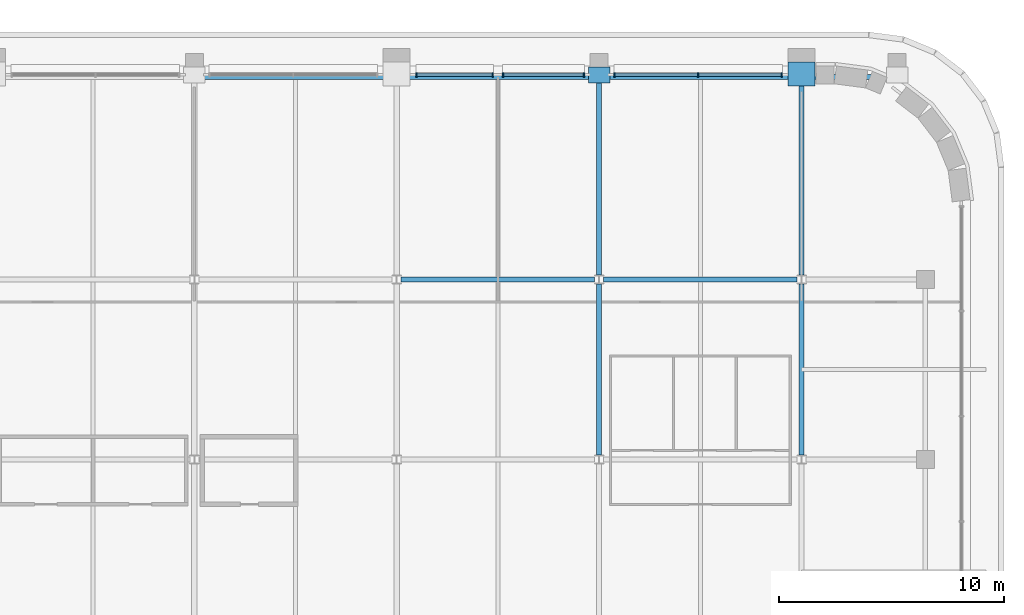
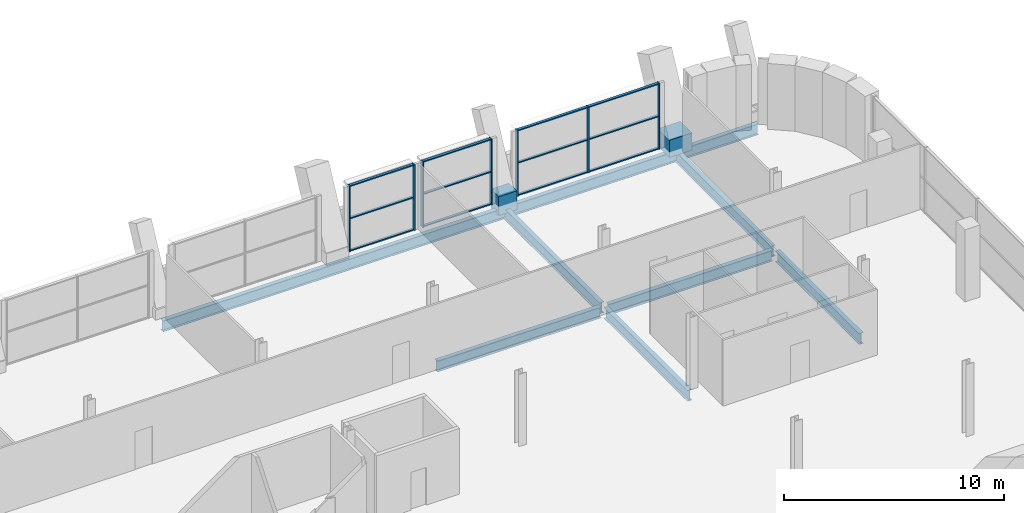
# One storey, part 11 of 25: 19 members, 10 beams, 3 elements without a shape of their own.
"""IFC4 building model written with IfcOpenShell, lengths in metres."""

from ifc_helpers import new_model, si_unit, direction, frame, origin, origin_2d, place, context, subcontext, project, spatial, rectangle, i_section, extrude, material, material_profile, profile_set, type_object, element, aggregate, save


model = new_model("IFC4")

# Units and contexts
model_context = context("Model", 3, precision=1e-05, world=origin(), true_north=direction((0.0, 1.0)))
body_context = subcontext(model_context, "Body", "Model", "MODEL_VIEW")
ifc_project = project(units=[si_unit("LENGTHUNIT", "METRE"), si_unit("AREAUNIT", "SQUARE_METRE"), si_unit("VOLUMEUNIT", "CUBIC_METRE"), si_unit("PLANEANGLEUNIT", "RADIAN"), si_unit("MASSUNIT", "GRAM", prefix="KILO")], contexts=[model_context])

# Site, building, storey
site_placement = place(None, origin())
site = spatial("IfcSite", under=ifc_project, at=site_placement, CompositionType="ELEMENT")
building_placement = place(site_placement, origin())
building = spatial("IfcBuilding", under=site, at=building_placement, Name="Zellij Exchange Tower", CompositionType="ELEMENT")
storey_placement = place(building_placement, frame((0.0, 0.0, 264.5)))
storey = spatial("IfcBuildingStorey", under=building, at=storey_placement, Name="L62", CompositionType="ELEMENT", Elevation=264.5)

# Curtain wall, members
ifc_material_1 = material(Name="Aluminium frame, clear insulating glass", Category="aluminium")
curtain_wall_type = type_object("IfcCurtainWallType", Name="ENV-CW6 Sky-lobby glazing", PredefinedType="NOTDEFINED", material=ifc_material_1)
curtain_wall_1_placement = place(storey_placement, origin())
curtain_wall_1 = element("IfcCurtainWall", 1, at=curtain_wall_1_placement, inside=storey, type_object=curtain_wall_type, Name="cw.L62.14b", PredefinedType="NOTDEFINED")
ifc_material_2 = material(Name="Aluminium", Category="aluminium")
ifc_material_profile_1 = material_profile(ifc_material_2, rectangle(XDim=0.06005859375, YDim=0.199951171875, at=origin_2d()), Name="AL 60x200")
ifc_profile_set_1 = profile_set([ifc_material_profile_1], Name="Aluminium")
member_type_1 = type_object("IfcMemberType", Name="ENV-CW6M Mullion 60x200", PredefinedType="MULLION", material=ifc_profile_set_1)
member_1_placement = place(storey_placement, frame((26.1201171875, 31.10009765625, 0.0), z_axis=(0.0, 0.0, 1.0), x_axis=(-1.0, 0.0, 0.0)))
member_1 = element("IfcMember", 2, at=member_1_placement, type_object=member_type_1, Name="CW6 mullion 1", PredefinedType="MULLION", context=body_context, shape_type="SweptSolid", body=[
    extrude(rectangle(XDim=0.06005859375, YDim=0.199951171875, at=origin_2d()), origin(), (0.0, 0.0, 1.0), 3.64990234375),
])
member_2_placement = place(storey_placement, frame((22.39990234375, 31.10009765625, 0.0), z_axis=(0.0, 0.0, 1.0), x_axis=(-1.0, 0.0, 0.0)))
member_2 = element("IfcMember", 3, at=member_2_placement, type_object=member_type_1, Name="CW6 mullion 2", PredefinedType="MULLION", context=body_context, shape_type="SweptSolid", body=[
    extrude(rectangle(XDim=0.06005859375, YDim=0.199951171875, at=origin_2d()), origin(), (0.0, 0.0, 1.0), 3.64990234375),
])
member_3_placement = place(storey_placement, frame((18.679931640625, 31.10009765625, 0.0), z_axis=(0.0, 0.0, 1.0), x_axis=(-1.0, 0.0, 0.0)))
member_3 = element("IfcMember", 4, at=member_3_placement, type_object=member_type_1, Name="CW6 mullion 3", PredefinedType="MULLION", context=body_context, shape_type="SweptSolid", body=[
    extrude(rectangle(XDim=0.06005859375, YDim=0.199951171875, at=origin_2d()), origin(), (0.0, 0.0, 1.0), 3.64990234375),
])

curtain_wall_2_placement = place(storey_placement, origin())
curtain_wall_2 = element("IfcCurtainWall", 5, at=curtain_wall_2_placement, inside=storey, type_object=curtain_wall_type, Name="cw.L62.14c", PredefinedType="NOTDEFINED")
member_4_placement = place(storey_placement, frame((17.320068359375, 31.10009765625, 0.0), z_axis=(0.0, 0.0, 1.0), x_axis=(-1.0, 0.0, 0.0)))
member_4 = element("IfcMember", 6, at=member_4_placement, type_object=member_type_1, Name="CW6 mullion 1", PredefinedType="MULLION", context=body_context, shape_type="SweptSolid", body=[
    extrude(rectangle(XDim=0.06005859375, YDim=0.199951171875, at=origin_2d()), origin(), (0.0, 0.0, 1.0), 3.64990234375),
])
member_5_placement = place(storey_placement, frame((13.72998046875, 31.10009765625, 0.0), z_axis=(0.0, 0.0, 1.0), x_axis=(-1.0, 0.0, 0.0)))
member_5 = element("IfcMember", 7, at=member_5_placement, type_object=member_type_1, Name="CW6 mullion 2", PredefinedType="MULLION", context=body_context, shape_type="SweptSolid", body=[
    extrude(rectangle(XDim=0.06005859375, YDim=0.199951171875, at=origin_2d()), origin(), (0.0, 0.0, 1.0), 3.64990234375),
])

curtain_wall_3_placement = place(storey_placement, origin())
curtain_wall_3 = element("IfcCurtainWall", 8, at=curtain_wall_3_placement, inside=storey, type_object=curtain_wall_type, Name="cw.L62.14d", PredefinedType="NOTDEFINED")
member_6_placement = place(storey_placement, frame((13.27001953125, 31.10009765625, 0.0), z_axis=(0.0, 0.0, 1.0), x_axis=(-1.0, 0.0, 0.0)))
member_6 = element("IfcMember", 9, at=member_6_placement, type_object=member_type_1, Name="CW6 mullion 1", PredefinedType="MULLION", context=body_context, shape_type="SweptSolid", body=[
    extrude(rectangle(XDim=0.06005859375, YDim=0.199951171875, at=origin_2d()), origin(), (0.0, 0.0, 1.0), 3.64990234375),
])
member_7_placement = place(storey_placement, frame((9.8798828125, 31.10009765625, 0.0), z_axis=(0.0, 0.0, 1.0), x_axis=(-1.0, 0.0, 0.0)))
member_7 = element("IfcMember", 10, at=member_7_placement, type_object=member_type_1, Name="CW6 mullion 2", PredefinedType="MULLION", context=body_context, shape_type="SweptSolid", body=[
    extrude(rectangle(XDim=0.06005859375, YDim=0.199951171875, at=origin_2d()), origin(), (0.0, 0.0, 1.0), 3.64990234375),
])

# Member
ifc_material_profile_2 = material_profile(ifc_material_2, rectangle(XDim=0.139892578125, YDim=0.06005859375, at=origin_2d()), Name="AL 140x60")
ifc_profile_set_2 = profile_set([ifc_material_profile_2], Name="Aluminium")
member_type_2 = type_object("IfcMemberType", Name="ENV-CW6T Transom 140x60", PredefinedType="USERDEFINED", material=ifc_profile_set_2)
member_8_placement = place(storey_placement, frame((26.090087890625, 31.10009765625, 0.030029296875), z_axis=(-1.0, 0.0, 0.0), x_axis=(0.0, -1.0, 0.0)))
member_8 = element("IfcMember", 11, at=member_8_placement, type_object=member_type_2, Name="CW6 transom 1.1", ObjectType="TRANSOM", PredefinedType="USERDEFINED", context=body_context, shape_type="SweptSolid", body=[
    extrude(rectangle(XDim=0.139892578125, YDim=0.06005859375, at=origin_2d()), origin(), (0.0, 0.0, 1.0), 3.66015625),
])

member_9_placement = place(storey_placement, frame((26.090087890625, 31.10009765625, 1.824951171875), z_axis=(-1.0, 0.0, 0.0), x_axis=(0.0, -1.0, 0.0)))
member_9 = element("IfcMember", 12, at=member_9_placement, type_object=member_type_2, Name="CW6 transom 1.2", ObjectType="TRANSOM", PredefinedType="USERDEFINED", context=body_context, shape_type="SweptSolid", body=[
    extrude(rectangle(XDim=0.139892578125, YDim=0.06005859375, at=origin_2d()), origin(), (0.0, 0.0, 1.0), 3.66015625),
])

member_10_placement = place(storey_placement, frame((26.090087890625, 31.10009765625, 3.6201171875), z_axis=(-1.0, 0.0, 0.0), x_axis=(0.0, -1.0, 0.0)))
member_10 = element("IfcMember", 13, at=member_10_placement, type_object=member_type_2, Name="CW6 transom 1.3", ObjectType="TRANSOM", PredefinedType="USERDEFINED", context=body_context, shape_type="SweptSolid", body=[
    extrude(rectangle(XDim=0.139892578125, YDim=0.06005859375, at=origin_2d()), origin(), (0.0, 0.0, 1.0), 3.66015625),
])

member_11_placement = place(storey_placement, frame((22.3701171875, 31.10009765625, 0.030029296875), z_axis=(-1.0, 0.0, 0.0), x_axis=(0.0, -1.0, 0.0)))
member_11 = element("IfcMember", 14, at=member_11_placement, type_object=member_type_2, Name="CW6 transom 2.1", ObjectType="TRANSOM", PredefinedType="USERDEFINED", context=body_context, shape_type="SweptSolid", body=[
    extrude(rectangle(XDim=0.139892578125, YDim=0.06005859375, at=origin_2d()), origin(), (0.0, 0.0, 1.0), 3.66015625),
])

member_12_placement = place(storey_placement, frame((22.3701171875, 31.10009765625, 1.824951171875), z_axis=(-1.0, 0.0, 0.0), x_axis=(0.0, -1.0, 0.0)))
member_12 = element("IfcMember", 15, at=member_12_placement, type_object=member_type_2, Name="CW6 transom 2.2", ObjectType="TRANSOM", PredefinedType="USERDEFINED", context=body_context, shape_type="SweptSolid", body=[
    extrude(rectangle(XDim=0.139892578125, YDim=0.06005859375, at=origin_2d()), origin(), (0.0, 0.0, 1.0), 3.66015625),
])

member_13_placement = place(storey_placement, frame((22.3701171875, 31.10009765625, 3.6201171875), z_axis=(-1.0, 0.0, 0.0), x_axis=(0.0, -1.0, 0.0)))
member_13 = element("IfcMember", 16, at=member_13_placement, type_object=member_type_2, Name="CW6 transom 2.3", ObjectType="TRANSOM", PredefinedType="USERDEFINED", context=body_context, shape_type="SweptSolid", body=[
    extrude(rectangle(XDim=0.139892578125, YDim=0.06005859375, at=origin_2d()), origin(), (0.0, 0.0, 1.0), 3.66015625),
])

aggregate(curtain_wall_1, [member_1, member_2, member_3, member_8, member_9, member_10, member_11, member_12, member_13])

member_14_placement = place(storey_placement, frame((17.2900390625, 31.10009765625, 0.030029296875), z_axis=(-1.0, 0.0, 0.0), x_axis=(0.0, -1.0, 0.0)))
member_14 = element("IfcMember", 17, at=member_14_placement, type_object=member_type_2, Name="CW6 transom 1.1", ObjectType="TRANSOM", PredefinedType="USERDEFINED", context=body_context, shape_type="SweptSolid", body=[
    extrude(rectangle(XDim=0.139892578125, YDim=0.06005859375, at=origin_2d()), origin(), (0.0, 0.0, 1.0), 3.530029296875),
])

member_15_placement = place(storey_placement, frame((17.2900390625, 31.10009765625, 1.824951171875), z_axis=(-1.0, 0.0, 0.0), x_axis=(0.0, -1.0, 0.0)))
member_15 = element("IfcMember", 18, at=member_15_placement, type_object=member_type_2, Name="CW6 transom 1.2", ObjectType="TRANSOM", PredefinedType="USERDEFINED", context=body_context, shape_type="SweptSolid", body=[
    extrude(rectangle(XDim=0.139892578125, YDim=0.06005859375, at=origin_2d()), origin(), (0.0, 0.0, 1.0), 3.530029296875),
])

member_16_placement = place(storey_placement, frame((17.2900390625, 31.10009765625, 3.6201171875), z_axis=(-1.0, 0.0, 0.0), x_axis=(0.0, -1.0, 0.0)))
member_16 = element("IfcMember", 19, at=member_16_placement, type_object=member_type_2, Name="CW6 transom 1.3", ObjectType="TRANSOM", PredefinedType="USERDEFINED", context=body_context, shape_type="SweptSolid", body=[
    extrude(rectangle(XDim=0.139892578125, YDim=0.06005859375, at=origin_2d()), origin(), (0.0, 0.0, 1.0), 3.530029296875),
])

aggregate(curtain_wall_2, [member_4, member_5, member_14, member_15, member_16])

member_17_placement = place(storey_placement, frame((13.239990234375, 31.10009765625, 0.030029296875), z_axis=(-1.0, 0.0, 0.0), x_axis=(0.0, -1.0, 0.0)))
member_17 = element("IfcMember", 20, at=member_17_placement, type_object=member_type_2, Name="CW6 transom 1.1", ObjectType="TRANSOM", PredefinedType="USERDEFINED", context=body_context, shape_type="SweptSolid", body=[
    extrude(rectangle(XDim=0.139892578125, YDim=0.06005859375, at=origin_2d()), origin(), (0.0, 0.0, 1.0), 3.330078125),
])

member_18_placement = place(storey_placement, frame((13.239990234375, 31.10009765625, 1.824951171875), z_axis=(-1.0, 0.0, 0.0), x_axis=(0.0, -1.0, 0.0)))
member_18 = element("IfcMember", 21, at=member_18_placement, type_object=member_type_2, Name="CW6 transom 1.2", ObjectType="TRANSOM", PredefinedType="USERDEFINED", context=body_context, shape_type="SweptSolid", body=[
    extrude(rectangle(XDim=0.139892578125, YDim=0.06005859375, at=origin_2d()), origin(), (0.0, 0.0, 1.0), 3.330078125),
])

member_19_placement = place(storey_placement, frame((13.239990234375, 31.10009765625, 3.6201171875), z_axis=(-1.0, 0.0, 0.0), x_axis=(0.0, -1.0, 0.0)))
member_19 = element("IfcMember", 22, at=member_19_placement, type_object=member_type_2, Name="CW6 transom 1.3", ObjectType="TRANSOM", PredefinedType="USERDEFINED", context=body_context, shape_type="SweptSolid", body=[
    extrude(rectangle(XDim=0.139892578125, YDim=0.06005859375, at=origin_2d()), origin(), (0.0, 0.0, 1.0), 3.330078125),
])

aggregate(curtain_wall_3, [member_6, member_7, member_17, member_18, member_19])

# Beams
ifc_material_3 = material(Name="Structural steel ASTM A992 Gr 50", Category="steel")
ifc_material_profile_3 = material_profile(ifc_material_3, i_section(OverallWidth=0.228271484375, OverallDepth=0.607177734375, WebThickness=0.01123046875, FlangeThickness=0.017333984375, at=origin_2d()), Name="W24x76")
ifc_profile_set_3 = profile_set([ifc_material_profile_3], Name="Structural steel ASTM A992 Gr 50")
beam_type_1 = type_object("IfcBeamType", Name="STR-GIRDER W24x76", PredefinedType="BEAM", material=ifc_profile_set_3)
for number, where, z_axis, x_axis, name in (
    (23, (9.199462890625, 22.0, -0.603515625), (1.0, 0.0, 0.0), (0.0, 1.0, 0.0), "G2"),
    (24, (18.199462890625, 22.0, -0.603515625), (1.0, 0.0, 0.0), (0.0, 1.0, 0.0), "G2"),
):
    element("IfcBeam", number, at=place(storey_placement, frame(where, z_axis=z_axis, x_axis=x_axis)), inside=storey, type_object=beam_type_1, Name=name, PredefinedType="BEAM", context=body_context, shape_type="SweptSolid", body=[
        extrude(i_section(OverallWidth=0.228271484375, OverallDepth=0.607177734375, WebThickness=0.01123046875, FlangeThickness=0.017333984375, at=origin_2d()), origin(), (0.0, 0.0, 1.0), 8.60107421875),
    ])
beam_1_placement = place(storey_placement, frame((0.0, 31.0, -0.603515625), z_axis=(1.0, 0.0, 0.0), x_axis=(0.0, 1.0, 0.0)))
element("IfcBeam", 25, at=beam_1_placement, inside=storey, type_object=beam_type_1, Name="G2", PredefinedType="BEAM", context=body_context, shape_type="SweptSolid", body=[
    extrude(i_section(OverallWidth=0.228271484375, OverallDepth=0.607177734375, WebThickness=0.01123046875, FlangeThickness=0.017333984375, at=origin_2d()), origin(), (0.0, 0.0, 1.0), 18.0),
])
beam_2_placement = place(storey_placement, frame((18.0, 31.0, -0.603515625), z_axis=(1.0, 0.0, 0.0), x_axis=(0.0, 1.0, 0.0)))
element("IfcBeam", 26, at=beam_2_placement, inside=storey, type_object=beam_type_1, Name="G2", PredefinedType="BEAM", context=body_context, shape_type="SweptSolid", body=[
    extrude(i_section(OverallWidth=0.228271484375, OverallDepth=0.607177734375, WebThickness=0.01123046875, FlangeThickness=0.017333984375, at=origin_2d()), origin(), (0.0, 0.0, 1.0), 13.25),
])
beam_3_placement = place(storey_placement, frame((18.0, 14.193115234375, -0.603515625), z_axis=(0.0, 1.0, 0.0), x_axis=(-1.0, 0.0, 0.0)))
element("IfcBeam", 27, at=beam_3_placement, inside=storey, type_object=beam_type_1, Name="G2", PredefinedType="BEAM", context=body_context, shape_type="SweptSolid", body=[
    extrude(i_section(OverallWidth=0.228271484375, OverallDepth=0.607177734375, WebThickness=0.01123046875, FlangeThickness=0.017333984375, at=origin_2d()), origin(), (0.0, 0.0, 1.0), 7.61376953125),
])
beam_4_placement = place(storey_placement, frame((18.0, 22.193115234375, -0.603515625), z_axis=(0.0, 1.0, 0.0), x_axis=(-1.0, 0.0, 0.0)))
element("IfcBeam", 28, at=beam_4_placement, inside=storey, type_object=beam_type_1, Name="G2", PredefinedType="BEAM", context=body_context, shape_type="SweptSolid", body=[
    extrude(i_section(OverallWidth=0.228271484375, OverallDepth=0.607177734375, WebThickness=0.01123046875, FlangeThickness=0.017333984375, at=origin_2d()), origin(), (0.0, 0.0, 1.0), 8.806884765625),
])
beam_5_placement = place(storey_placement, frame((27.0, 14.193115234375, -0.603515625), z_axis=(0.0, 1.0, 0.0), x_axis=(-1.0, 0.0, 0.0)))
element("IfcBeam", 29, at=beam_5_placement, inside=storey, type_object=beam_type_1, Name="G2", PredefinedType="BEAM", context=body_context, shape_type="SweptSolid", body=[
    extrude(i_section(OverallWidth=0.228271484375, OverallDepth=0.607177734375, WebThickness=0.01123046875, FlangeThickness=0.017333984375, at=origin_2d()), origin(), (0.0, 0.0, 1.0), 7.61376953125),
])
beam_6_placement = place(storey_placement, frame((27.0, 22.193115234375, -0.603515625), z_axis=(0.0, 1.0, 0.0), x_axis=(-1.0, 0.0, 0.0)))
element("IfcBeam", 30, at=beam_6_placement, inside=storey, type_object=beam_type_1, Name="G2", PredefinedType="BEAM", context=body_context, shape_type="SweptSolid", body=[
    extrude(i_section(OverallWidth=0.228271484375, OverallDepth=0.607177734375, WebThickness=0.01123046875, FlangeThickness=0.017333984375, at=origin_2d()), origin(), (0.0, 0.0, 1.0), 8.806884765625),
])
ifc_material_4 = material(Name="Concrete C50/60", Category="concrete")
ifc_material_profile_4 = material_profile(ifc_material_4, rectangle(XDim=1.199951171875, YDim=0.949951171875, at=origin_2d()), Name="STR-KNUCKLE BLOCK RC1200x950 C50/60")
ifc_profile_set_4 = profile_set([ifc_material_profile_4], Name="Concrete C50/60")
beam_type_2 = type_object("IfcBeamType", Name="STR-KNUCKLE BLOCK RC1200x950 C50/60", PredefinedType="BEAM", material=ifc_profile_set_4)
beam_7_placement = place(storey_placement, frame((27.0, 30.597412109375, 0.175048828125), z_axis=(0.0, 1.0, 0.0), x_axis=(-1.0, 0.0, 0.0)))
element("IfcBeam", 31, at=beam_7_placement, inside=storey, type_object=beam_type_2, Name="KB6", PredefinedType="BEAM", context=body_context, shape_type="SweptSolid", body=[
    extrude(rectangle(XDim=1.199951171875, YDim=0.949951171875, at=origin_2d()), origin(), (0.0, 0.0, 1.0), 1.073486328125),
])
ifc_material_profile_5 = material_profile(ifc_material_4, rectangle(XDim=0.949951171875, YDim=1.050048828125, at=origin_2d()), Name="STR-KNUCKLE BLOCK RC950x1050 C50/60")
ifc_profile_set_5 = profile_set([ifc_material_profile_5], Name="Concrete C50/60")
beam_type_3 = type_object("IfcBeamType", Name="STR-KNUCKLE BLOCK RC950x1050 C50/60", PredefinedType="BEAM", material=ifc_profile_set_5)
beam_8_placement = place(storey_placement, frame((18.0, 30.731689453125, 0.02490234375), z_axis=(0.0, 1.0, 0.0), x_axis=(-1.0, 0.0, 0.0)))
element("IfcBeam", 32, at=beam_8_placement, inside=storey, type_object=beam_type_3, Name="KB1", PredefinedType="BEAM", context=body_context, shape_type="SweptSolid", body=[
    extrude(rectangle(XDim=0.949951171875, YDim=1.050048828125, at=origin_2d()), origin(), (0.0, 0.0, 1.0), 0.715576171875),
])

save(model, "model.ifc")
